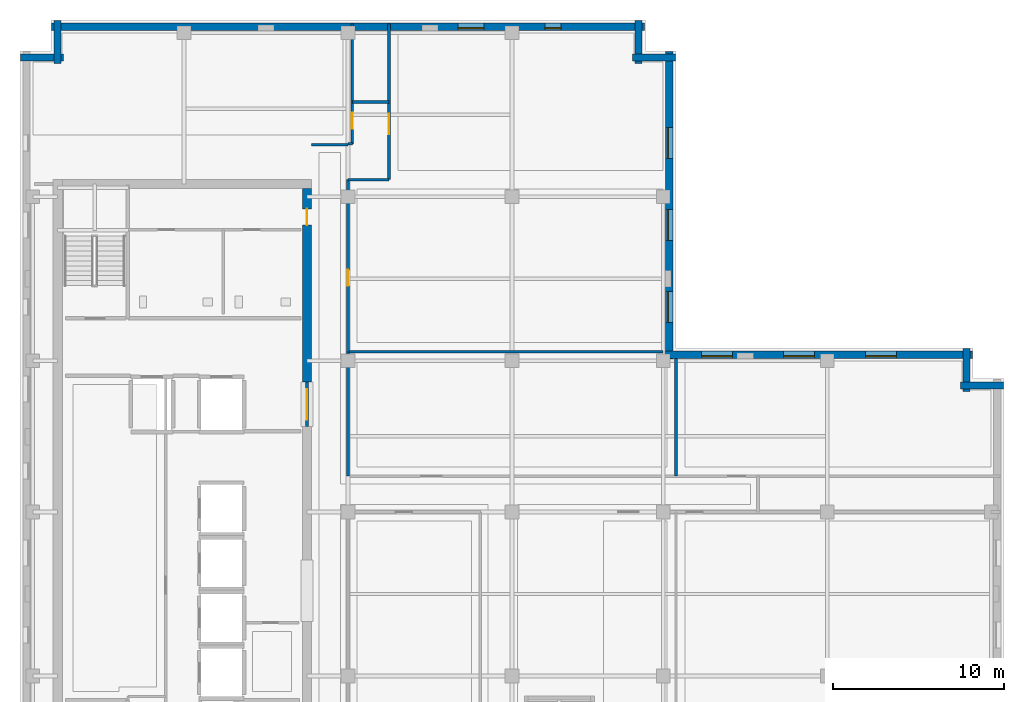
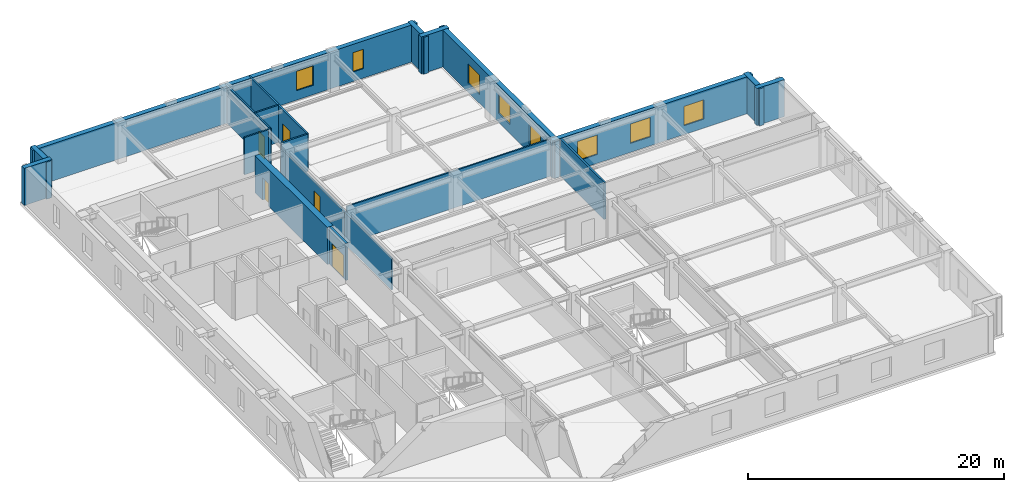
# One storey, part 6 of 12: 21 walls, 8 windows, 5 doors, 13 openings.
"""IFC4 building model written with IfcOpenShell, lengths in metres."""

from ifc_helpers import new_model, si_unit, direction, frame, frame_2d, origin, place, context, subcontext, project, spatial, rectangle, extrude, material, layer, layer_set, type_object, element, fill, save


model = new_model("IFC4")

# Units and contexts
model_context = context("Model", 3, precision=1e-05, world=origin(), true_north=direction((0.0, 1.0)))
body_context = subcontext(model_context, "Body", "Model", "MODEL_VIEW")
ifc_project = project(units=[si_unit("LENGTHUNIT", "METRE"), si_unit("AREAUNIT", "SQUARE_METRE"), si_unit("VOLUMEUNIT", "CUBIC_METRE"), si_unit("PLANEANGLEUNIT", "RADIAN"), si_unit("MASSUNIT", "GRAM", prefix="KILO")], contexts=[model_context])

# Site, building, storey
site_placement = place(None, origin())
site = spatial("IfcSite", under=ifc_project, at=site_placement, CompositionType="ELEMENT")
building_placement = place(site_placement, origin())
building = spatial("IfcBuilding", under=site, at=building_placement, Name="Norrvale University Quadrangle", CompositionType="ELEMENT")
storey_placement = place(building_placement, frame((0.0, 0.0, 244.60009765625)))
storey = spatial("IfcBuildingStorey", under=building, at=storey_placement, Name="L62", CompositionType="ELEMENT", Elevation=244.60009765625)

# Walls
ifc_material_1 = material(Name="Buff Norman Clay Brick Masonry", Category="masonry")
ifc_layer_1 = layer(ifc_material_1, 0.419921875, Name="Buff Norman Clay Brick Masonry")
ifc_layer_set_1 = layer_set([ifc_layer_1], Name="Buff Norman Clay Brick Masonry")
wall_type_1 = type_object("IfcWallType", Name="Wall Buff Brick 420", PredefinedType="SOLIDWALL", material=ifc_layer_set_1)
for number, where, z_axis, x_axis, name in (
    (1, (57.56005859375, 36.2099609375, 0.0), (0.0, 0.0, 1.0), (-1.0, 0.0, 0.0), "Exterior Brick Facade Wall L62-05.1"),
    (2, (55.409912109375, 35.860107421875, 0.0), (0.0, 0.0, 1.0), (0.0, 1.0, 0.0), "Exterior Brick Facade Wall L62-06.1"),
):
    element("IfcWall", number, at=place(storey_placement, frame(where, z_axis=z_axis, x_axis=x_axis)), inside=storey, type_object=wall_type_1, Name=name, PredefinedType="SOLIDWALL", context=body_context, shape_type="SweptSolid", body=[
        extrude(rectangle(XDim=2.5, YDim=0.419921875, at=frame_2d((1.25, 0.0))), origin(), (0.0, 0.0, 1.0), 3.539794921875),
    ])

# Wall, openings, windows
wall_1_placement = place(storey_placement, frame((55.760009765625, 38.010009765625, 0.0), z_axis=(0.0, 0.0, 1.0), x_axis=(-1.0, 0.0, 0.0)))
wall_1 = element("IfcWall", 3, at=wall_1_placement, inside=storey, type_object=wall_type_1, Name="Exterior Brick Facade Wall L62-07.1", PredefinedType="SOLIDWALL", context=body_context, shape_type="SweptSolid", body=[
    extrude(rectangle(XDim=18.10009765625, YDim=0.419921875, at=frame_2d((9.050048828125, 0.0))), origin(), (0.0, 0.0, 1.0), 3.539794921875),
])
opening_1_placement = place(wall_1_placement, frame((4.4599609375, 0.0, 0.85009765625)))
opening_1 = element("IfcOpeningElement", 4, at=opening_1_placement, cuts=wall_1, Name="Opening W01", PredefinedType="OPENING", context=body_context, shape_type="SweptSolid", body=[
    extrude(rectangle(XDim=1.800048828125, YDim=1.85009765625, at=frame_2d((0.89990234375, 0.925048828125))), frame((0.0, 0.221923828125, 0.0), z_axis=(0.0, -1.0, 0.0), x_axis=(1.0, 0.0, 0.0)), (0.0, 0.0, 1.0), 0.44384765625),
])
opening_2_placement = place(wall_1_placement, frame((9.260009765625, 0.0, 0.85009765625)))
opening_2 = element("IfcOpeningElement", 5, at=opening_2_placement, cuts=wall_1, Name="Opening W01", PredefinedType="OPENING", context=body_context, shape_type="SweptSolid", body=[
    extrude(rectangle(XDim=1.800048828125, YDim=1.85009765625, at=frame_2d((0.89990234375, 0.925048828125))), frame((0.0, 0.221923828125, 0.0), z_axis=(0.0, -1.0, 0.0), x_axis=(1.0, 0.0, 0.0)), (0.0, 0.0, 1.0), 0.44384765625),
])
opening_3_placement = place(wall_1_placement, frame((14.06005859375, 0.0, 0.85009765625)))
opening_3 = element("IfcOpeningElement", 6, at=opening_3_placement, cuts=wall_1, Name="Opening W01", PredefinedType="OPENING", context=body_context, shape_type="SweptSolid", body=[
    extrude(rectangle(XDim=1.800048828125, YDim=1.85009765625, at=frame_2d((0.89990234375, 0.925048828125))), frame((0.0, 0.221923828125, 0.0), z_axis=(0.0, -1.0, 0.0), x_axis=(1.0, 0.0, 0.0)), (0.0, 0.0, 1.0), 0.44384765625),
])
ifc_material_2 = material(Name="Triple Low-E Argon Glazing", Category="glass")
window_type_1 = type_object("IfcWindowType", Name="Window Academic 1800x2300", PartitioningType="DOUBLE_PANEL_VERTICAL", PredefinedType="WINDOW", material=ifc_material_2)
window_1_placement = place(opening_1_placement, origin())
window_1 = element("IfcWindow", 7, at=window_1_placement, inside=storey, type_object=window_type_1, Name="Window Academic 1800x2300 WIN-L62-E07-1-01", OverallHeight=1.85009765625, OverallWidth=1.800048828125, PartitioningType="DOUBLE_PANEL_VERTICAL", PredefinedType="WINDOW", context=body_context, shape_type="SweptSolid", body=[
    extrude(rectangle(XDim=1.800048828125, YDim=1.85009765625, at=frame_2d((0.89990234375, 0.925048828125))), frame((0.0, 0.110107421875, 0.0), z_axis=(0.0, -1.0, 0.0), x_axis=(1.0, 0.0, 0.0)), (0.0, 0.0, 1.0), 0.06005859375),
])
fill(opening_1, window_1)
window_2_placement = place(opening_2_placement, origin())
window_2 = element("IfcWindow", 8, at=window_2_placement, inside=storey, type_object=window_type_1, Name="Window Academic 1800x2300 WIN-L62-E07-1-02", OverallHeight=1.85009765625, OverallWidth=1.800048828125, PartitioningType="DOUBLE_PANEL_VERTICAL", PredefinedType="WINDOW", context=body_context, shape_type="SweptSolid", body=[
    extrude(rectangle(XDim=1.800048828125, YDim=1.85009765625, at=frame_2d((0.89990234375, 0.925048828125))), frame((0.0, 0.110107421875, 0.0), z_axis=(0.0, -1.0, 0.0), x_axis=(1.0, 0.0, 0.0)), (0.0, 0.0, 1.0), 0.06005859375),
])
fill(opening_2, window_2)
window_3_placement = place(opening_3_placement, origin())
window_3 = element("IfcWindow", 9, at=window_3_placement, inside=storey, type_object=window_type_1, Name="Window Academic 1800x2300 WIN-L62-E07-1-03", OverallHeight=1.85009765625, OverallWidth=1.800048828125, PartitioningType="DOUBLE_PANEL_VERTICAL", PredefinedType="WINDOW", context=body_context, shape_type="SweptSolid", body=[
    extrude(rectangle(XDim=1.800048828125, YDim=1.85009765625, at=frame_2d((0.89990234375, 0.925048828125))), frame((0.0, 0.110107421875, 0.0), z_axis=(0.0, -1.0, 0.0), x_axis=(1.0, 0.0, 0.0)), (0.0, 0.0, 1.0), 0.06005859375),
])
fill(opening_3, window_3)

wall_2_placement = place(storey_placement, frame((38.010009765625, 37.659912109375, 0.0), z_axis=(0.0, 0.0, 1.0), x_axis=(0.0, 1.0, 0.0)))
wall_2 = element("IfcWall", 10, at=wall_2_placement, inside=storey, type_object=wall_type_1, Name="Exterior Brick Facade Wall L62-08.1", PredefinedType="SOLIDWALL", context=body_context, shape_type="SweptSolid", body=[
    extrude(rectangle(XDim=18.10009765625, YDim=0.419921875, at=frame_2d((9.050048828125, 0.0))), origin(), (0.0, 0.0, 1.0), 3.539794921875),
])
opening_4_placement = place(wall_2_placement, frame((2.239990234375, 0.0, 0.85009765625)))
opening_4 = element("IfcOpeningElement", 11, at=opening_4_placement, cuts=wall_2, Name="Opening W01", PredefinedType="OPENING", context=body_context, shape_type="SweptSolid", body=[
    extrude(rectangle(XDim=1.800048828125, YDim=1.85009765625, at=frame_2d((0.89990234375, 0.925048828125))), frame((0.0, 0.221923828125, 0.0), z_axis=(0.0, -1.0, 0.0), x_axis=(1.0, 0.0, 0.0)), (0.0, 0.0, 1.0), 0.44384765625),
])
opening_5_placement = place(wall_2_placement, frame((7.0400390625, 0.0, 0.85009765625)))
opening_5 = element("IfcOpeningElement", 12, at=opening_5_placement, cuts=wall_2, Name="Opening W01", PredefinedType="OPENING", context=body_context, shape_type="SweptSolid", body=[
    extrude(rectangle(XDim=1.800048828125, YDim=1.85009765625, at=frame_2d((0.89990234375, 0.925048828125))), frame((0.0, 0.221923828125, 0.0), z_axis=(0.0, -1.0, 0.0), x_axis=(1.0, 0.0, 0.0)), (0.0, 0.0, 1.0), 0.44384765625),
])
opening_6_placement = place(wall_2_placement, frame((11.840087890625, 0.0, 0.85009765625)))
opening_6 = element("IfcOpeningElement", 13, at=opening_6_placement, cuts=wall_2, Name="Opening W01", PredefinedType="OPENING", context=body_context, shape_type="SweptSolid", body=[
    extrude(rectangle(XDim=1.800048828125, YDim=1.85009765625, at=frame_2d((0.89990234375, 0.925048828125))), frame((0.0, 0.221923828125, 0.0), z_axis=(0.0, -1.0, 0.0), x_axis=(1.0, 0.0, 0.0)), (0.0, 0.0, 1.0), 0.44384765625),
])
window_4_placement = place(opening_4_placement, origin())
window_4 = element("IfcWindow", 14, at=window_4_placement, inside=storey, type_object=window_type_1, Name="Window Academic 1800x2300 WIN-L62-E08-1-01", OverallHeight=1.85009765625, OverallWidth=1.800048828125, PartitioningType="DOUBLE_PANEL_VERTICAL", PredefinedType="WINDOW", context=body_context, shape_type="SweptSolid", body=[
    extrude(rectangle(XDim=1.800048828125, YDim=1.85009765625, at=frame_2d((0.89990234375, 0.925048828125))), frame((0.0, 0.110107421875, 0.0), z_axis=(0.0, -1.0, 0.0), x_axis=(1.0, 0.0, 0.0)), (0.0, 0.0, 1.0), 0.06005859375),
])
fill(opening_4, window_4)
window_5_placement = place(opening_5_placement, origin())
window_5 = element("IfcWindow", 15, at=window_5_placement, inside=storey, type_object=window_type_1, Name="Window Academic 1800x2300 WIN-L62-E08-1-02", OverallHeight=1.85009765625, OverallWidth=1.800048828125, PartitioningType="DOUBLE_PANEL_VERTICAL", PredefinedType="WINDOW", context=body_context, shape_type="SweptSolid", body=[
    extrude(rectangle(XDim=1.800048828125, YDim=1.85009765625, at=frame_2d((0.89990234375, 0.925048828125))), frame((0.0, 0.110107421875, 0.0), z_axis=(0.0, -1.0, 0.0), x_axis=(1.0, 0.0, 0.0)), (0.0, 0.0, 1.0), 0.06005859375),
])
fill(opening_5, window_5)
window_6_placement = place(opening_6_placement, origin())
window_6 = element("IfcWindow", 16, at=window_6_placement, inside=storey, type_object=window_type_1, Name="Window Academic 1800x2300 WIN-L62-E08-1-03", OverallHeight=1.85009765625, OverallWidth=1.800048828125, PartitioningType="DOUBLE_PANEL_VERTICAL", PredefinedType="WINDOW", context=body_context, shape_type="SweptSolid", body=[
    extrude(rectangle(XDim=1.800048828125, YDim=1.85009765625, at=frame_2d((0.89990234375, 0.925048828125))), frame((0.0, 0.110107421875, 0.0), z_axis=(0.0, -1.0, 0.0), x_axis=(1.0, 0.0, 0.0)), (0.0, 0.0, 1.0), 0.06005859375),
])
fill(opening_6, window_6)

# Walls
for number, where, z_axis, x_axis, name in (
    (17, (38.360107421875, 55.409912109375, 0.0), (0.0, 0.0, 1.0), (-1.0, 0.0, 0.0), "Exterior Brick Facade Wall L62-09.1"),
    (18, (36.2099609375, 55.06005859375, 0.0), (0.0, 0.0, 1.0), (0.0, 1.0, 0.0), "Exterior Brick Facade Wall L62-10.1"),
):
    element("IfcWall", number, at=place(storey_placement, frame(where, z_axis=z_axis, x_axis=x_axis)), inside=storey, type_object=wall_type_1, Name=name, PredefinedType="SOLIDWALL", context=body_context, shape_type="SweptSolid", body=[
        extrude(rectangle(XDim=2.5, YDim=0.419921875, at=frame_2d((1.25, 0.0))), origin(), (0.0, 0.0, 1.0), 3.539794921875),
    ])

# Wall, openings, windows
wall_3_placement = place(storey_placement, frame((36.56005859375, 57.2099609375, 0.0), z_axis=(0.0, 0.0, 1.0), x_axis=(-1.0, 0.0, 0.0)))
wall_3 = element("IfcWall", 19, at=wall_3_placement, inside=storey, type_object=wall_type_1, Name="Exterior Brick Facade Wall L62-11.1", PredefinedType="SOLIDWALL", context=body_context, shape_type="SweptSolid", body=[
    extrude(rectangle(XDim=34.719970703125, YDim=0.419921875, at=frame_2d((17.35986328125, 0.0))), origin(), (0.0, 0.0, 1.0), 3.539794921875),
])
opening_7_placement = place(wall_3_placement, frame((4.885009765625, 0.0, 0.89990234375)))
opening_7 = element("IfcOpeningElement", 20, at=opening_7_placement, cuts=wall_3, Name="Opening W04", PredefinedType="OPENING", context=body_context, shape_type="SweptSolid", body=[
    extrude(rectangle(XDim=0.949951171875, YDim=1.85009765625, at=frame_2d((0.47509765625, 0.925048828125))), frame((0.0, 0.221923828125, 0.0), z_axis=(0.0, -1.0, 0.0), x_axis=(1.0, 0.0, 0.0)), (0.0, 0.0, 1.0), 0.44384765625),
])
opening_8_placement = place(wall_3_placement, frame((9.409912109375, 0.0, 0.89990234375)))
opening_8 = element("IfcOpeningElement", 21, at=opening_8_placement, cuts=wall_3, Name="Opening W03", PredefinedType="OPENING", context=body_context, shape_type="SweptSolid", body=[
    extrude(rectangle(XDim=1.5, YDim=1.85009765625, at=frame_2d((0.75, 0.925048828125))), frame((0.0, 0.221923828125, 0.0), z_axis=(0.0, -1.0, 0.0), x_axis=(1.0, 0.0, 0.0)), (0.0, 0.0, 1.0), 0.44384765625),
])
window_type_2 = type_object("IfcWindowType", Name="Window Narrow Pier 950x2300", PartitioningType="SINGLE_PANEL", PredefinedType="WINDOW", material=ifc_material_2)
window_7_placement = place(opening_7_placement, origin())
window_7 = element("IfcWindow", 22, at=window_7_placement, inside=storey, type_object=window_type_2, Name="Window Narrow Pier 950x2300 WIN-L62-E11-1-01", OverallHeight=1.85009765625, OverallWidth=0.949951171875, PartitioningType="SINGLE_PANEL", PredefinedType="WINDOW", context=body_context, shape_type="SweptSolid", body=[
    extrude(rectangle(XDim=0.949951171875, YDim=1.85009765625, at=frame_2d((0.47509765625, 0.925048828125))), frame((0.0, 0.110107421875, 0.0), z_axis=(0.0, -1.0, 0.0), x_axis=(1.0, 0.0, 0.0)), (0.0, 0.0, 1.0), 0.06005859375),
])
fill(opening_7, window_7)
window_type_3 = type_object("IfcWindowType", Name="Window Studio 1500x2300", PartitioningType="DOUBLE_PANEL_VERTICAL", PredefinedType="WINDOW", material=ifc_material_2)
window_8_placement = place(opening_8_placement, origin())
window_8 = element("IfcWindow", 23, at=window_8_placement, inside=storey, type_object=window_type_3, Name="Window Studio 1500x2300 WIN-L62-E11-1-02", OverallHeight=1.85009765625, OverallWidth=1.5, PartitioningType="DOUBLE_PANEL_VERTICAL", PredefinedType="WINDOW", context=body_context, shape_type="SweptSolid", body=[
    extrude(rectangle(XDim=1.5, YDim=1.85009765625, at=frame_2d((0.75, 0.925048828125))), frame((0.0, 0.110107421875, 0.0), z_axis=(0.0, -1.0, 0.0), x_axis=(1.0, 0.0, 0.0)), (0.0, 0.0, 1.0), 0.06005859375),
])
fill(opening_8, window_8)

# Walls
for number, where, z_axis, x_axis, name in (
    (24, (2.18994140625, 57.56005859375, 0.0), (0.0, 0.0, 1.0), (0.0, -1.0, 0.0), "Exterior Brick Facade Wall L62-12.1"),
    (25, (2.5400390625, 55.409912109375, 0.0), (0.0, 0.0, 1.0), (-1.0, 0.0, 0.0), "Exterior Brick Facade Wall L62-13.1"),
):
    element("IfcWall", number, at=place(storey_placement, frame(where, z_axis=z_axis, x_axis=x_axis)), inside=storey, type_object=wall_type_1, Name=name, PredefinedType="SOLIDWALL", context=body_context, shape_type="SweptSolid", body=[
        extrude(rectangle(XDim=2.5, YDim=0.419921875, at=frame_2d((1.25, 0.0))), origin(), (0.0, 0.0, 1.0), 3.539794921875),
    ])

# Wall, opening, door
ifc_material_3 = material(Name="Concrete C60/75", Category="concrete")
ifc_layer_2 = layer(ifc_material_3, 0.550048828125, Name="Concrete C60/75")
ifc_layer_set_2 = layer_set([ifc_layer_2], Name="Concrete C60/75")
wall_type_2 = type_object("IfcWallType", Name="Wall Core 550", PredefinedType="SHEAR", material=ifc_layer_set_2)
wall_4_placement = place(storey_placement, frame((16.800048828125, 36.39990234375, 0.0), z_axis=(0.0, 0.0, 1.0), x_axis=(0.0, 1.0, 0.0)))
wall_4 = element("IfcWall", 26, at=wall_4_placement, inside=storey, type_object=wall_type_2, Name="Tower Core Shear Wall L62-E3", PredefinedType="SHEAR", context=body_context, shape_type="SweptSolid", body=[
    extrude(rectangle(XDim=11.3251953125, YDim=0.550048828125, at=frame_2d((5.66259765625, 0.0))), origin(), (0.0, 0.0, 1.0), 3.539794921875),
])
opening_9_placement = place(wall_4_placement, frame((9.199951171875, 0.0, 0.0)))
opening_9 = element("IfcOpeningElement", 27, at=opening_9_placement, cuts=wall_4, Name="Opening D07", PredefinedType="OPENING", context=body_context, shape_type="SweptSolid", body=[
    extrude(rectangle(XDim=0.949951171875, YDim=2.14990234375, at=frame_2d((0.47509765625, 1.074951171875))), frame((0.0, 0.287109375, 0.0), z_axis=(0.0, -1.0, 0.0), x_axis=(1.0, 0.0, 0.0)), (0.0, 0.0, 1.0), 0.573974609375),
])
ifc_material_4 = material(Name="Solid-Core Maple Door", Category="wood")
door_type_1 = type_object("IfcDoorType", Name="Door Office 950x2150", OperationType="NOTDEFINED", PredefinedType="DOOR", material=ifc_material_4)
door_1_placement = place(opening_9_placement, origin())
door_1 = element("IfcDoor", 28, at=door_1_placement, inside=storey, type_object=door_type_1, Name="Door Office 950x2150 DR-L62-NECORR", OperationType="SINGLE_SWING_LEFT", OverallHeight=2.14990234375, OverallWidth=0.949951171875, PredefinedType="DOOR", context=body_context, shape_type="SweptSolid", body=[
    extrude(rectangle(XDim=0.949951171875, YDim=2.14990234375, at=frame_2d((0.47509765625, 1.074951171875))), frame((0.0, 0.02490234375, 0.0), z_axis=(0.0, -1.0, 0.0), x_axis=(1.0, 0.0, 0.0)), (0.0, 0.0, 1.0), 0.050048828125),
])
fill(opening_9, door_1)

# Walls
ifc_material_5 = material(Name="Standard Academic Gypsum Partition")
ifc_layer_3 = layer(ifc_material_5, 0.125, Name="Standard Academic Gypsum Partition")
ifc_layer_set_3 = layer_set([ifc_layer_3], Name="Standard Academic Gypsum Partition")
wall_type_3 = type_object("IfcWallType", Name="Wall Gypsum Academic 125", PredefinedType="PARTITIONING", material=ifc_layer_set_3)
wall_5_placement = place(storey_placement, frame((19.280029296875, 38.179931640625, 0.0), z_axis=(0.0, 0.0, 1.0), x_axis=(1.0, 0.0, 0.0)))
element("IfcWall", 29, at=wall_5_placement, inside=storey, type_object=wall_type_3, Name="Interior Partition WL-L62-ME-N", PredefinedType="PARTITIONING", context=body_context, shape_type="SweptSolid", body=[
    extrude(rectangle(XDim=18.369873046875, YDim=0.125, at=frame_2d((9.18505859375, 0.0))), origin(), (0.0, 0.0, 1.0), 3.539794921875),
])
ifc_material_6 = material(Name="Fire-Rated Gypsum Stud Partition")
ifc_layer_4 = layer(ifc_material_6, 0.14990234375, Name="Fire-Rated Gypsum Stud Partition")
ifc_layer_set_4 = layer_set([ifc_layer_4], Name="Fire-Rated Gypsum Stud Partition")
wall_type_4 = type_object("IfcWallType", Name="Wall Gypsum Corridor 150", PredefinedType="PARTITIONING", material=ifc_layer_set_4)
wall_6_placement = place(storey_placement, frame((17.050048828125, 50.300048828125, 0.0), z_axis=(0.0, 0.0, 1.0), x_axis=(1.0, 0.0, 0.0)))
element("IfcWall", 30, at=wall_6_placement, inside=storey, type_object=wall_type_4, Name="Interior Partition WL-L62-CSP-N", PredefinedType="PARTITIONING", context=body_context, shape_type="SweptSolid", body=[
    extrude(rectangle(XDim=2.14990234375, YDim=0.14990234375, at=frame_2d((1.074951171875, 0.0))), origin(), (0.0, 0.0, 1.0), 3.539794921875),
])
wall_7_placement = place(storey_placement, frame((19.199951171875, 30.89990234375, 0.0), z_axis=(0.0, 0.0, 1.0), x_axis=(0.0, 1.0, 0.0)))
element("IfcWall", 31, at=wall_7_placement, inside=storey, type_object=wall_type_4, Name="Interior Partition WL-L62-ME-W", PredefinedType="PARTITIONING", context=body_context, shape_type="SweptSolid", body=[
    extrude(rectangle(XDim=7.280029296875, YDim=0.14990234375, at=frame_2d((3.64013671875, 0.0))), origin(), (0.0, 0.0, 1.0), 3.0068359375),
])

# Wall, opening, door
wall_8_placement = place(storey_placement, frame((19.199951171875, 38.179931640625, 0.0), z_axis=(0.0, 0.0, 1.0), x_axis=(0.0, 1.0, 0.0)))
wall_8 = element("IfcWall", 32, at=wall_8_placement, inside=storey, type_object=wall_type_4, Name="Interior Partition WL-L62-MNECW", PredefinedType="PARTITIONING", context=body_context, shape_type="SweptSolid", body=[
    extrude(rectangle(XDim=10.070068359375, YDim=0.14990234375, at=frame_2d((5.03515625, 0.0))), origin(), (0.0, 0.0, 1.0), 3.0068359375),
])
opening_10_placement = place(wall_8_placement, frame((3.85009765625, 0.0, 0.0)))
opening_10 = element("IfcOpeningElement", 33, at=opening_10_placement, cuts=wall_8, Name="Opening D07", PredefinedType="OPENING", context=body_context, shape_type="SweptSolid", body=[
    extrude(rectangle(XDim=0.949951171875, YDim=2.14990234375, at=frame_2d((0.47509765625, 1.074951171875))), frame((0.0, 0.0869140625, 0.0), z_axis=(0.0, -1.0, 0.0), x_axis=(1.0, 0.0, 0.0)), (0.0, 0.0, 1.0), 0.173828125),
])
door_2_placement = place(opening_10_placement, origin())
door_2 = element("IfcDoor", 34, at=door_2_placement, inside=storey, type_object=door_type_1, Name="Door Office 950x2150 DR-L62-MNE01", OperationType="SINGLE_SWING_RIGHT", OverallHeight=2.14990234375, OverallWidth=0.949951171875, PredefinedType="DOOR", context=body_context, shape_type="SweptSolid", body=[
    extrude(rectangle(XDim=0.949951171875, YDim=2.14990234375, at=frame_2d((0.47509765625, 1.074951171875))), frame((0.0, 0.02490234375, 0.0), z_axis=(0.0, -1.0, 0.0), x_axis=(1.0, 0.0, 0.0)), (0.0, 0.0, 1.0), 0.050048828125),
])
fill(opening_10, door_2)

# Walls
wall_9_placement = place(storey_placement, frame((19.199951171875, 48.25, 0.0), z_axis=(0.0, 0.0, 1.0), x_axis=(1.0, 0.0, 0.0)))
element("IfcWall", 35, at=wall_9_placement, inside=storey, type_object=wall_type_4, Name="Interior Partition WL-L62-JOGS", PredefinedType="PARTITIONING", context=body_context, shape_type="SweptSolid", body=[
    extrude(rectangle(XDim=2.400146484375, YDim=0.14990234375, at=frame_2d((1.2001953125, 0.0))), origin(), (0.0, 0.0, 1.0), 3.539794921875),
])
wall_10_placement = place(storey_placement, frame((19.199951171875, 50.35009765625, 0.0), z_axis=(0.0, 0.0, 1.0), x_axis=(1.0, 0.0, 0.0)))
element("IfcWall", 36, at=wall_10_placement, inside=storey, type_object=wall_type_4, Name="Interior Partition WL-L62-JOGN", PredefinedType="PARTITIONING", context=body_context, shape_type="SweptSolid", body=[
    extrude(rectangle(XDim=0.25, YDim=0.14990234375, at=frame_2d((0.125, 0.0))), origin(), (0.0, 0.0, 1.0), 3.539794921875),
])
wall_11_placement = place(storey_placement, frame((19.449951171875, 52.800048828125, 0.0), z_axis=(0.0, 0.0, 1.0), x_axis=(1.0, 0.0, 0.0)))
element("IfcWall", 37, at=wall_11_placement, inside=storey, type_object=wall_type_4, Name="Interior Partition WL-L62-JOGEND", PredefinedType="PARTITIONING", context=body_context, shape_type="SweptSolid", body=[
    extrude(rectangle(XDim=2.150146484375, YDim=0.14990234375, at=frame_2d((1.0751953125, 0.0))), origin(), (0.0, 0.0, 1.0), 3.539794921875),
])

# Wall, opening, door
wall_12_placement = place(storey_placement, frame((21.60009765625, 48.25, 0.0), z_axis=(0.0, 0.0, 1.0), x_axis=(0.0, 1.0, 0.0)))
wall_12 = element("IfcWall", 38, at=wall_12_placement, inside=storey, type_object=wall_type_4, Name="Interior Partition WL-L62-NECW", PredefinedType="PARTITIONING", context=body_context, shape_type="SweptSolid", body=[
    extrude(rectangle(XDim=9.1298828125, YDim=0.14990234375, at=frame_2d((4.56494140625, 0.0))), origin(), (0.0, 0.0, 1.0), 3.539794921875),
])
opening_11_placement = place(wall_12_placement, frame((2.64990234375, 0.0, 0.0)))
opening_11 = element("IfcOpeningElement", 39, at=opening_11_placement, cuts=wall_12, Name="Opening D05", PredefinedType="OPENING", context=body_context, shape_type="SweptSolid", body=[
    extrude(rectangle(XDim=1.199951171875, YDim=2.199951171875, at=frame_2d((0.60009765625, 1.10009765625))), frame((0.0, 0.0869140625, 0.0), z_axis=(0.0, -1.0, 0.0), x_axis=(1.0, 0.0, 0.0)), (0.0, 0.0, 1.0), 0.173828125),
])
ifc_material_7 = material(Name="Acoustic Oak Classroom Door", Category="wood")
door_type_2 = type_object("IfcDoorType", Name="Door Classroom 1200x2200", OperationType="NOTDEFINED", PredefinedType="DOOR", material=ifc_material_7)
door_3_placement = place(opening_11_placement, origin())
door_3 = element("IfcDoor", 40, at=door_3_placement, inside=storey, type_object=door_type_2, Name="Door Classroom 1200x2200 DR-L62-NE01", OperationType="SINGLE_SWING_RIGHT", OverallHeight=2.199951171875, OverallWidth=1.199951171875, PredefinedType="DOOR", context=body_context, shape_type="SweptSolid", body=[
    extrude(rectangle(XDim=1.199951171875, YDim=2.199951171875, at=frame_2d((0.60009765625, 1.10009765625))), frame((0.0, 0.02490234375, 0.0), z_axis=(0.0, -1.0, 0.0), x_axis=(1.0, 0.0, 0.0)), (0.0, 0.0, 1.0), 0.050048828125),
])
fill(opening_11, door_3)

wall_13_placement = place(storey_placement, frame((19.449951171875, 50.35009765625, 0.0), z_axis=(0.0, 0.0, 1.0), x_axis=(0.0, 1.0, 0.0)))
wall_13 = element("IfcWall", 41, at=wall_13_placement, inside=storey, type_object=wall_type_4, Name="Interior Partition WL-L62-NWCW", PredefinedType="PARTITIONING", context=body_context, shape_type="SweptSolid", body=[
    extrude(rectangle(XDim=7.02978515625, YDim=0.14990234375, at=frame_2d((3.514892578125, 0.0))), origin(), (0.0, 0.0, 1.0), 3.539794921875),
])
opening_12_placement = place(wall_13_placement, frame((0.875, 0.0, 0.0)))
opening_12 = element("IfcOpeningElement", 42, at=opening_12_placement, cuts=wall_13, Name="Opening D07", PredefinedType="OPENING", context=body_context, shape_type="SweptSolid", body=[
    extrude(rectangle(XDim=0.949951171875, YDim=2.14990234375, at=frame_2d((0.47509765625, 1.074951171875))), frame((0.0, 0.0869140625, 0.0), z_axis=(0.0, -1.0, 0.0), x_axis=(1.0, 0.0, 0.0)), (0.0, 0.0, 1.0), 0.173828125),
])
door_4_placement = place(opening_12_placement, origin())
door_4 = element("IfcDoor", 43, at=door_4_placement, inside=storey, type_object=door_type_1, Name="Door Office 950x2150 DR-L62-NW01", OperationType="SINGLE_SWING_RIGHT", OverallHeight=2.14990234375, OverallWidth=0.949951171875, PredefinedType="DOOR", context=body_context, shape_type="SweptSolid", body=[
    extrude(rectangle(XDim=0.949951171875, YDim=2.14990234375, at=frame_2d((0.47509765625, 1.074951171875))), frame((0.0, 0.02490234375, 0.0), z_axis=(0.0, -1.0, 0.0), x_axis=(1.0, 0.0, 0.0)), (0.0, 0.0, 1.0), 0.050048828125),
])
fill(opening_12, door_4)

# Wall
ifc_material_8 = material(Name="Sanitary Chase Gypsum Partition")
ifc_layer_5 = layer(ifc_material_8, 0.1650390625, Name="Sanitary Chase Gypsum Partition")
ifc_layer_set_5 = layer_set([ifc_layer_5], Name="Sanitary Chase Gypsum Partition")
wall_type_5 = type_object("IfcWallType", Name="Wall Gypsum Sanitary 165", PredefinedType="PLUMBINGWALL", material=ifc_layer_set_5)
wall_14_placement = place(storey_placement, frame((38.39990234375, 30.89990234375, 0.0), z_axis=(0.0, 0.0, 1.0), x_axis=(0.0, 1.0, 0.0)))
element("IfcWall", 44, at=wall_14_placement, inside=storey, type_object=wall_type_5, Name="Interior Partition WL-L62-MEP01", PredefinedType="PLUMBINGWALL", context=body_context, shape_type="SweptSolid", body=[
    extrude(rectangle(XDim=6.89013671875, YDim=0.1650390625, at=frame_2d((3.445068359375, 0.0))), origin(), (0.0, 0.0, 1.0), 3.539794921875),
])

# Wall, opening, door
ifc_material_9 = material(Name="Concrete Blockwork 20 MPa Rated Wall", Category="masonry")
ifc_layer_6 = layer(ifc_material_9, 0.199951171875, Name="Concrete Blockwork 20 MPa Rated Wall")
ifc_layer_set_6 = layer_set([ifc_layer_6], Name="Concrete Blockwork 20 MPa Rated Wall")
wall_type_6 = type_object("IfcWallType", Name="Wall Lobby 200", PredefinedType="SOLIDWALL", material=ifc_layer_set_6)
wall_15_placement = place(storey_placement, frame((16.800048828125, 33.800048828125, 0.0), z_axis=(0.0, 0.0, 1.0), x_axis=(0.0, 1.0, 0.0)))
wall_15 = element("IfcWall", 45, at=wall_15_placement, inside=storey, type_object=wall_type_6, Name="Interior Partition WL-L62-FFP", PredefinedType="SOLIDWALL", context=body_context, shape_type="SweptSolid", body=[
    extrude(rectangle(XDim=2.599853515625, YDim=0.199951171875, at=frame_2d((1.2998046875, 0.0))), origin(), (0.0, 0.0, 1.0), 3.539794921875),
])
opening_13_placement = place(wall_15_placement, frame((0.39990234375, 0.0, 0.0)))
opening_13 = element("IfcOpeningElement", 46, at=opening_13_placement, cuts=wall_15, Name="Opening D03", PredefinedType="OPENING", context=body_context, shape_type="SweptSolid", body=[
    extrude(rectangle(XDim=1.800048828125, YDim=2.199951171875, at=frame_2d((0.89990234375, 1.10009765625))), frame((0.0, 0.112060546875, 0.0), z_axis=(0.0, -1.0, 0.0), x_axis=(1.0, 0.0, 0.0)), (0.0, 0.0, 1.0), 0.223876953125),
])
ifc_material_10 = material(Name="Hollow Steel 350W Fire Door", Category="steel")
door_type_3 = type_object("IfcDoorType", Name="Door Fire Lobby 1800x2200", OperationType="DOUBLE_DOOR_SINGLE_SWING", PredefinedType="DOOR", material=ifc_material_10)
door_5_placement = place(opening_13_placement, origin())
door_5 = element("IfcDoor", 47, at=door_5_placement, inside=storey, type_object=door_type_3, Name="Door Fire Lobby 1800x2200 DR-L62-FFP", OperationType="DOUBLE_DOOR_SINGLE_SWING", OverallHeight=2.199951171875, OverallWidth=1.800048828125, PredefinedType="DOOR", context=body_context, shape_type="SweptSolid", body=[
    extrude(rectangle(XDim=1.800048828125, YDim=2.199951171875, at=frame_2d((0.89990234375, 1.10009765625))), frame((0.0, 0.02490234375, 0.0), z_axis=(0.0, -1.0, 0.0), x_axis=(1.0, 0.0, 0.0)), (0.0, 0.0, 1.0), 0.050048828125),
])
fill(opening_13, door_5)

save(model, "model.ifc")
